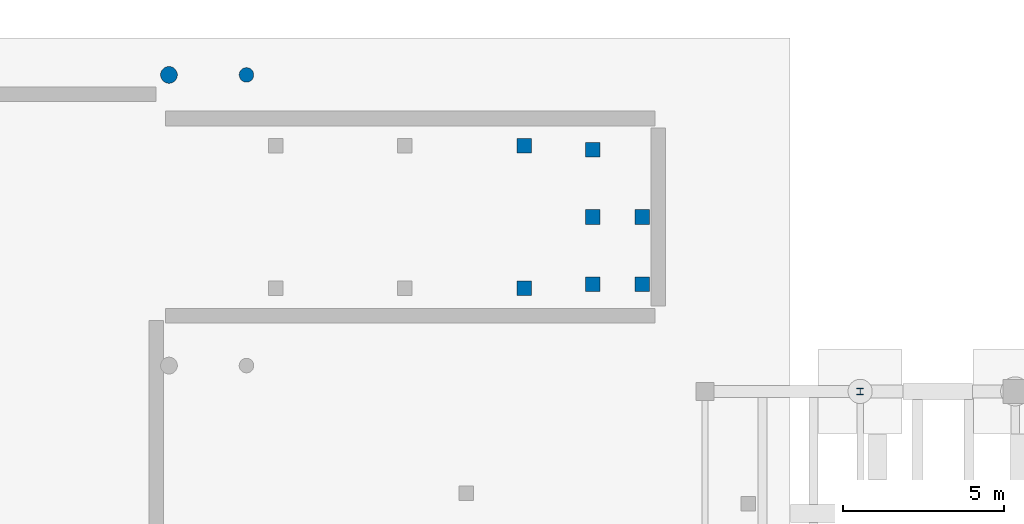
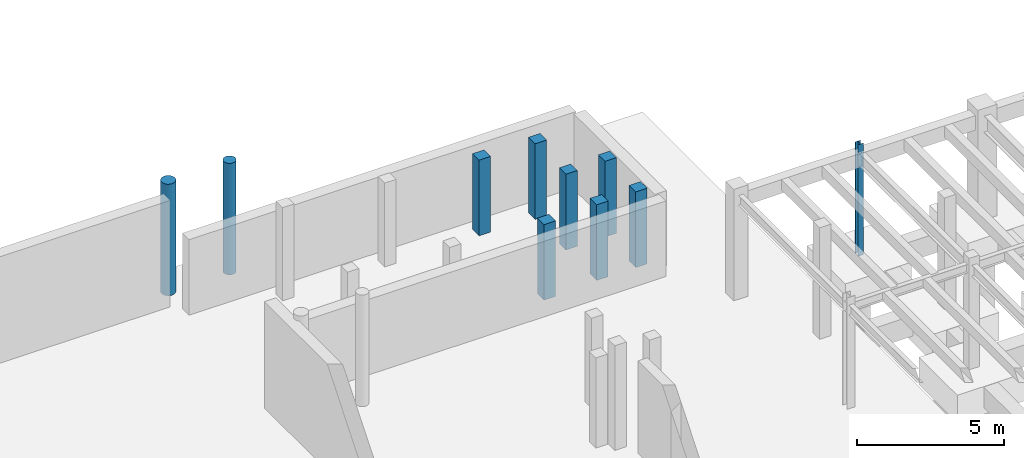
# One storey, part 18 of 45: 10 columns.
"""IFC4 building model written with IfcOpenShell, lengths in metres."""

from ifc_helpers import new_model, si_unit, direction, frame, origin, origin_2d, place, context, subcontext, project, spatial, rectangle, circle, i_section, extrude, material, material_profile, profile_set, type_object, element, save


model = new_model("IFC4")

# Units and contexts
model_context = context("Model", 3, precision=1e-05, world=origin(), true_north=direction((0.0, 1.0)))
body_context = subcontext(model_context, "Body", "Model", "MODEL_VIEW")
ifc_project = project(units=[si_unit("LENGTHUNIT", "METRE"), si_unit("AREAUNIT", "SQUARE_METRE"), si_unit("VOLUMEUNIT", "CUBIC_METRE"), si_unit("PLANEANGLEUNIT", "RADIAN"), si_unit("MASSUNIT", "GRAM", prefix="KILO")], contexts=[model_context])

# Site, building, storey
site_placement = place(None, origin())
site = spatial("IfcSite", under=ifc_project, at=site_placement, CompositionType="ELEMENT")
building_placement = place(site_placement, origin())
building = spatial("IfcBuilding", under=site, at=building_placement, Name="Corveleigh Park Community Centre", CompositionType="ELEMENT")
storey_placement = place(building_placement, frame((0.0, 0.0, -4.199951171875)))
storey = spatial("IfcBuildingStorey", under=building, at=storey_placement, Name="B1", CompositionType="ELEMENT", Elevation=-4.199951171875)

# Columns
ifc_material_1 = material(Name="Concrete C40/50", Category="concrete")
ifc_material_profile_1 = material_profile(ifc_material_1, rectangle(XDim=0.449951171875, YDim=0.449951171875, at=origin_2d()), Name="RC-450x450", Category="concrete")
ifc_profile_set_1 = profile_set([ifc_material_profile_1], Name="Concrete C40/50")
column_type_1 = type_object("IfcColumnType", Name="COL-RC-450x450", PredefinedType="COLUMN", material=ifc_profile_set_1)
for number, where, z_axis, x_axis, name in (
    (1, (124.199951171875, 107.39990234375, -0.4150390625), (0.0, 0.0, 1.0), (1.0, 0.0, 0.0), "External deck support pier 122 B1"),
    (2, (124.199951171875, 111.800048828125, -0.4150390625), (0.0, 0.0, 1.0), (1.0, 0.0, 0.0), "External deck support pier 123 B1"),
):
    element("IfcColumn", number, at=place(storey_placement, frame(where, z_axis=z_axis, x_axis=x_axis)), inside=storey, type_object=column_type_1, Name=name, PredefinedType="COLUMN", context=body_context, shape_type="SweptSolid", body=[
        extrude(rectangle(XDim=0.449951171875, YDim=0.449951171875, at=origin_2d()), origin(), (0.0, 0.0, 1.0), 3.126953125),
    ])
for number, where, z_axis, x_axis, name in (
    (3, (126.326904296875, 107.513916015625, -0.4150390625), (0.0, 0.0, 1.0), (1.0, 0.0, 0.0), "External deck support pier 205 B1"),
    (4, (126.326904296875, 109.60009765625, -0.4150390625), (0.0, 0.0, 1.0), (1.0, 0.0, 0.0), "External deck support pier 206 B1"),
    (5, (126.326904296875, 111.68603515625, -0.4150390625), (0.0, 0.0, 1.0), (1.0, 0.0, 0.0), "External deck support pier 207 B1"),
    (6, (127.85302734375, 107.513916015625, -0.4150390625), (0.0, 0.0, 1.0), (1.0, 0.0, 0.0), "External deck support pier 208 B1"),
    (7, (127.85302734375, 109.60009765625, -0.4150390625), (0.0, 0.0, 1.0), (1.0, 0.0, 0.0), "External deck support pier 209 B1"),
):
    element("IfcColumn", number, at=place(storey_placement, frame(where, z_axis=z_axis, x_axis=x_axis)), inside=storey, type_object=column_type_1, Name=name, PredefinedType="COLUMN", context=body_context, shape_type="SweptSolid", body=[
        extrude(rectangle(XDim=0.449951171875, YDim=0.449951171875, at=origin_2d()), origin(), (0.0, 0.0, 1.0), 3.133056640625),
    ])
ifc_material_profile_2 = material_profile(ifc_material_1, circle(Radius=0.22509765625, at=origin_2d()), Name="RC-450D", Category="concrete")
ifc_profile_set_2 = profile_set([ifc_material_profile_2], Name="Concrete C40/50")
column_type_2 = type_object("IfcColumnType", Name="COL-RCE-450D", PredefinedType="COLUMN", material=ifc_profile_set_2)
column_1_placement = place(storey_placement, frame((115.60009765625, 114.0, -0.4150390625), z_axis=(0.0, 0.0, 1.0), x_axis=(1.0, 0.0, 0.0)))
element("IfcColumn", 8, at=column_1_placement, inside=storey, type_object=column_type_2, Name="External deck support pier 117 B1", PredefinedType="COLUMN", context=body_context, shape_type="SweptSolid", body=[
    extrude(circle(Radius=0.22509765625, at=origin_2d()), origin(), (0.0, 0.0, 1.0), 4.614990234375),
])
ifc_material_profile_3 = material_profile(ifc_material_1, circle(Radius=0.260009765625, at=origin_2d()), Name="RC-520D", Category="concrete")
ifc_profile_set_3 = profile_set([ifc_material_profile_3], Name="Concrete C40/50")
column_type_3 = type_object("IfcColumnType", Name="COL-RCE-520D", PredefinedType="COLUMN", material=ifc_profile_set_3)
column_2_placement = place(storey_placement, frame((113.199951171875, 114.0, -0.4150390625), z_axis=(0.0, 0.0, 1.0), x_axis=(1.0, 0.0, 0.0)))
element("IfcColumn", 9, at=column_2_placement, inside=storey, type_object=column_type_3, Name="External deck support pier 116 B1", PredefinedType="COLUMN", context=body_context, shape_type="SweptSolid", body=[
    extrude(circle(Radius=0.260009765625, at=origin_2d()), origin(), (0.0, 0.0, 1.0), 4.614990234375),
])
ifc_material_2 = material(Name="Steel S355", Category="steel")
ifc_material_profile_4 = material_profile(ifc_material_2, i_section(OverallWidth=0.20361328125, OverallDepth=0.203125, WebThickness=0.007080078125, FlangeThickness=0.010986328125, at=origin_2d()), Name="UKC 203x203x46", Category="steel")
ifc_profile_set_4 = profile_set([ifc_material_profile_4], Name="Steel S355")
column_type_4 = type_object("IfcColumnType", Name="COL-STL-UKC203x46", PredefinedType="COLUMN", material=ifc_profile_set_4)
column_3_placement = place(storey_placement, frame((134.60009765625, 104.199951171875, -0.4150390625), z_axis=(0.0, 0.0, 1.0), x_axis=(1.0, 0.0, 0.0)))
element("IfcColumn", 10, at=column_3_placement, inside=storey, type_object=column_type_4, Name="Column V4-X1Y6 B1", PredefinedType="COLUMN", context=body_context, shape_type="SweptSolid", body=[
    extrude(i_section(OverallWidth=0.20361328125, OverallDepth=0.203125, WebThickness=0.007080078125, FlangeThickness=0.010986328125, at=origin_2d()), origin(), (0.0, 0.0, 1.0), 4.614990234375),
])

save(model, "model.ifc")
